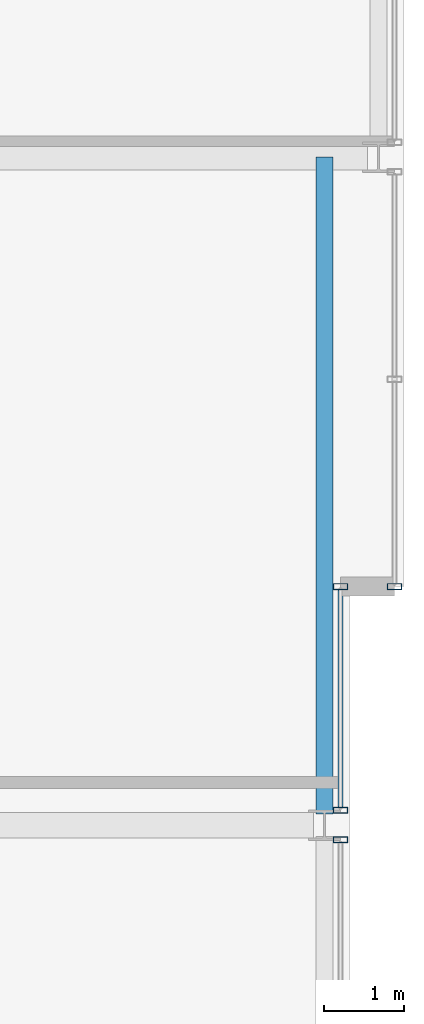
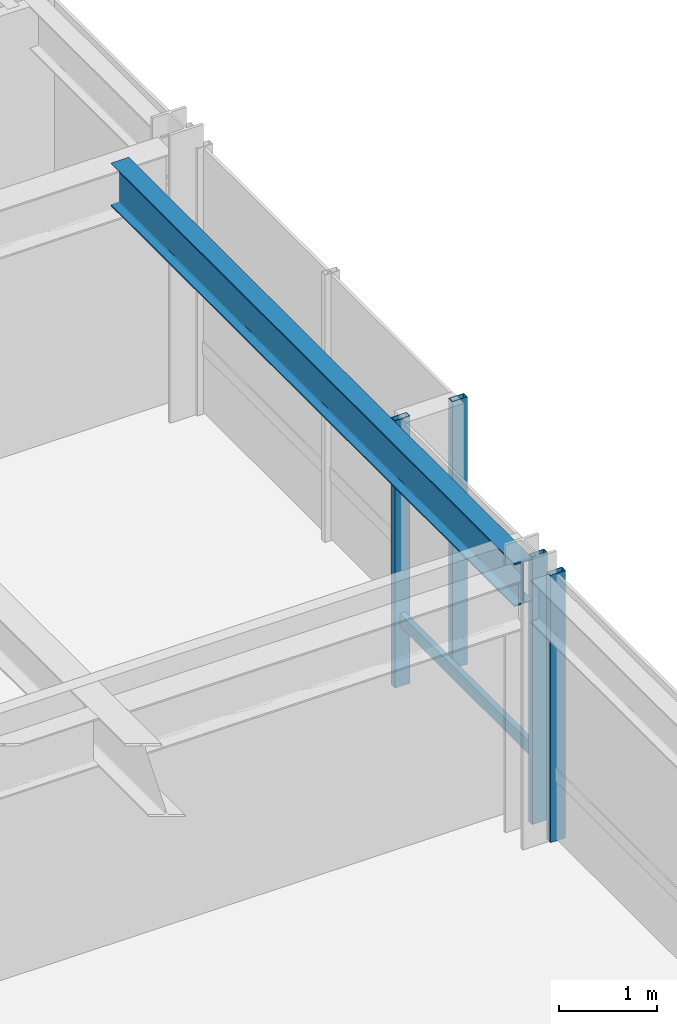
# One storey, part 16 of 30: 5 members, 1 beam, 3 elements without a shape of their own.
"""IFC4 building model written with IfcOpenShell, lengths in metres."""

from ifc_helpers import new_model, si_unit, direction, frame, origin, origin_2d, place, context, subcontext, project, spatial, hollow_rectangle, i_section, extrude, material, layer, layer_set, material_profile, profile_set, type_object, element, aggregate, save


model = new_model("IFC4")

# Units and contexts
model_context = context("Model", 3, precision=1e-05, world=origin(), true_north=direction((0.0, 1.0)))
body_context = subcontext(model_context, "Body", "Model", "MODEL_VIEW")
ifc_project = project(units=[si_unit("LENGTHUNIT", "METRE"), si_unit("AREAUNIT", "SQUARE_METRE"), si_unit("VOLUMEUNIT", "CUBIC_METRE"), si_unit("PLANEANGLEUNIT", "RADIAN"), si_unit("MASSUNIT", "GRAM", prefix="KILO")], contexts=[model_context])

# Site, building, storey
site_placement = place(None, origin())
site = spatial("IfcSite", under=ifc_project, at=site_placement, CompositionType="ELEMENT")
building_placement = place(site_placement, origin())
building = spatial("IfcBuilding", under=site, at=building_placement, Name="Drelvath Grand Hotel", CompositionType="ELEMENT")
storey_placement = place(building_placement, frame((0.0, 0.0, 215.89990234375)))
storey = spatial("IfcBuildingStorey", under=building, at=storey_placement, Name="L56", CompositionType="ELEMENT", Elevation=215.89990234375)

# Curtain wall, member
ifc_material_1 = material(Name="Platinum-Mist Anodised Aluminium Frame", Category="aluminium")
ifc_layer = layer(ifc_material_1, 0.199951171875)
ifc_layer_set = layer_set([ifc_layer], Name="Platinum-Mist Anodised Aluminium Frame")
curtain_wall_type = type_object("IfcCurtainWallType", Name="Stick Curtain Wall CW-05 Platinum Mist High-Rise", PredefinedType="NOTDEFINED", material=ifc_layer_set)
curtain_wall_1_placement = place(storey_placement, origin())
curtain_wall_1 = element("IfcCurtainWall", 1, at=curtain_wall_1_placement, inside=storey, type_object=curtain_wall_type, Name="L56 CW-05 Curtain Wall CW05-L56-EM2", PredefinedType="NOTDEFINED")
ifc_material_profile_1 = material_profile(ifc_material_1, hollow_rectangle(XDim=0.06494140625, YDim=0.159912109375, WallThickness=0.00390625, at=origin_2d()), Name="HSS160X65X4")
ifc_profile_set_1 = profile_set([ifc_material_profile_1], Name="Platinum-Mist Anodised Aluminium Frame")
member_type_1 = type_object("IfcMemberType", Name="Curtain Wall Horizontal Transom CW-05 HSS160X65X4", PredefinedType="USERDEFINED", material=ifc_profile_set_1)
member_1_placement = place(storey_placement, frame((21.39990234375, 29.9599609375, 0.835205078125), z_axis=(0.0, -1.0, 0.0), x_axis=(1.0, 0.0, 0.0)))
member_1 = element("IfcMember", 2, at=member_1_placement, type_object=member_type_1, Name="CW05-L56-EM2 Sill Transom", ObjectType="TRANSOM", PredefinedType="USERDEFINED", context=body_context, shape_type="SweptSolid", body=[
    extrude(hollow_rectangle(XDim=0.06494140625, YDim=0.159912109375, WallThickness=0.00390625, at=origin_2d()), origin(), (0.0, 0.0, 1.0), 2.734619140625),
])

curtain_wall_2_placement = place(storey_placement, origin())
curtain_wall_2 = element("IfcCurtainWall", 3, at=curtain_wall_2_placement, inside=storey, type_object=curtain_wall_type, Name="L56 CW-05 Curtain Wall CW05-L56-EN1", PredefinedType="NOTDEFINED")
ifc_material_profile_2 = material_profile(ifc_material_1, hollow_rectangle(XDim=0.074951171875, YDim=0.179931640625, WallThickness=0.0048828125, at=origin_2d()), Name="HSS180X75X5")
ifc_profile_set_2 = profile_set([ifc_material_profile_2], Name="Platinum-Mist Anodised Aluminium Frame")
member_type_2 = type_object("IfcMemberType", Name="Curtain Wall Vertical Mullion CW-05 HSS180X75X5", PredefinedType="MULLION", material=ifc_profile_set_2)
member_2_placement = place(storey_placement, frame((22.080078125, 30.0, 0.0), z_axis=(0.0, 0.0, 1.0), x_axis=(0.0, 1.0, 0.0)))
member_2 = element("IfcMember", 4, at=member_2_placement, type_object=member_type_2, Name="CW05-L56-EN1 Mullion 3", PredefinedType="MULLION", context=body_context, shape_type="SweptSolid", body=[
    extrude(hollow_rectangle(XDim=0.074951171875, YDim=0.179931640625, WallThickness=0.0048828125, at=origin_2d()), origin(), (0.0, 0.0, 1.0), 3.340087890625),
])
aggregate(curtain_wall_2, [member_2])

curtain_wall_3_placement = place(storey_placement, origin())
curtain_wall_3 = element("IfcCurtainWall", 5, at=curtain_wall_3_placement, inside=storey, type_object=curtain_wall_type, Name="L56 CW-05 Curtain Wall CW05-L56-EM1", PredefinedType="NOTDEFINED")
member_3_placement = place(storey_placement, frame((21.39990234375, 26.814697265625, 0.0), z_axis=(0.0, 0.0, 1.0), x_axis=(0.0, 1.0, 0.0)))
member_3 = element("IfcMember", 6, at=member_3_placement, type_object=member_type_2, Name="CW05-L56-EM1 Mullion 1", PredefinedType="MULLION", context=body_context, shape_type="SweptSolid", body=[
    extrude(hollow_rectangle(XDim=0.074951171875, YDim=0.179931640625, WallThickness=0.0048828125, at=origin_2d()), origin(), (0.0, 0.0, 1.0), 3.340087890625),
])
aggregate(curtain_wall_3, [member_3])

# Member
member_4_placement = place(storey_placement, frame((21.39990234375, 30.0, 0.0), z_axis=(0.0, 0.0, 1.0), x_axis=(0.0, 1.0, 0.0)))
member_4 = element("IfcMember", 7, at=member_4_placement, type_object=member_type_2, Name="CW05-L56-EM2 Mullion 1", PredefinedType="MULLION", context=body_context, shape_type="SweptSolid", body=[
    extrude(hollow_rectangle(XDim=0.074951171875, YDim=0.179931640625, WallThickness=0.0048828125, at=origin_2d()), origin(), (0.0, 0.0, 1.0), 3.340087890625),
])

member_5_placement = place(storey_placement, frame((21.39990234375, 27.185302734375, 0.0), z_axis=(0.0, 0.0, 1.0), x_axis=(0.0, 1.0, 0.0)))
member_5 = element("IfcMember", 8, at=member_5_placement, type_object=member_type_2, Name="CW05-L56-EM2 Mullion 2", PredefinedType="MULLION", context=body_context, shape_type="SweptSolid", body=[
    extrude(hollow_rectangle(XDim=0.074951171875, YDim=0.179931640625, WallThickness=0.0048828125, at=origin_2d()), origin(), (0.0, 0.0, 1.0), 3.340087890625),
])

aggregate(curtain_wall_1, [member_4, member_5, member_1])

# Beam
ifc_material_2 = material(Name="Steel ASTM A992 Gr 50", Category="steel")
ifc_material_profile_3 = material_profile(ifc_material_2, i_section(OverallWidth=0.210205078125, OverallDepth=0.53662109375, WebThickness=0.010986328125, FlangeThickness=0.017333984375, FilletRadius=0.01806640625, at=origin_2d()), Name="W21X68")
ifc_profile_set_3 = profile_set([ifc_material_profile_3], Name="Steel ASTM A992 Gr 50")
beam_type = type_object("IfcBeamType", Name="Perimeter Spandrel Beam W21X68", PredefinedType="SPANDREL", material=ifc_profile_set_3)
beam_placement = place(storey_placement, frame((21.199951171875, 27.139892578125, 3.07177734375), z_axis=(0.0, 1.0, 0.0), x_axis=(-1.0, 0.0, 0.0)))
element("IfcBeam", 9, at=beam_placement, inside=storey, type_object=beam_type, Name="L56 Spandrel East Mid N", PredefinedType="SPANDREL", context=body_context, shape_type="SweptSolid", body=[
    extrude(i_section(OverallWidth=0.210205078125, OverallDepth=0.53662109375, WebThickness=0.010986328125, FlangeThickness=0.017333984375, FilletRadius=0.01806640625, at=origin_2d()), origin(), (0.0, 0.0, 1.0), 8.260009765625),
])

save(model, "model.ifc")
